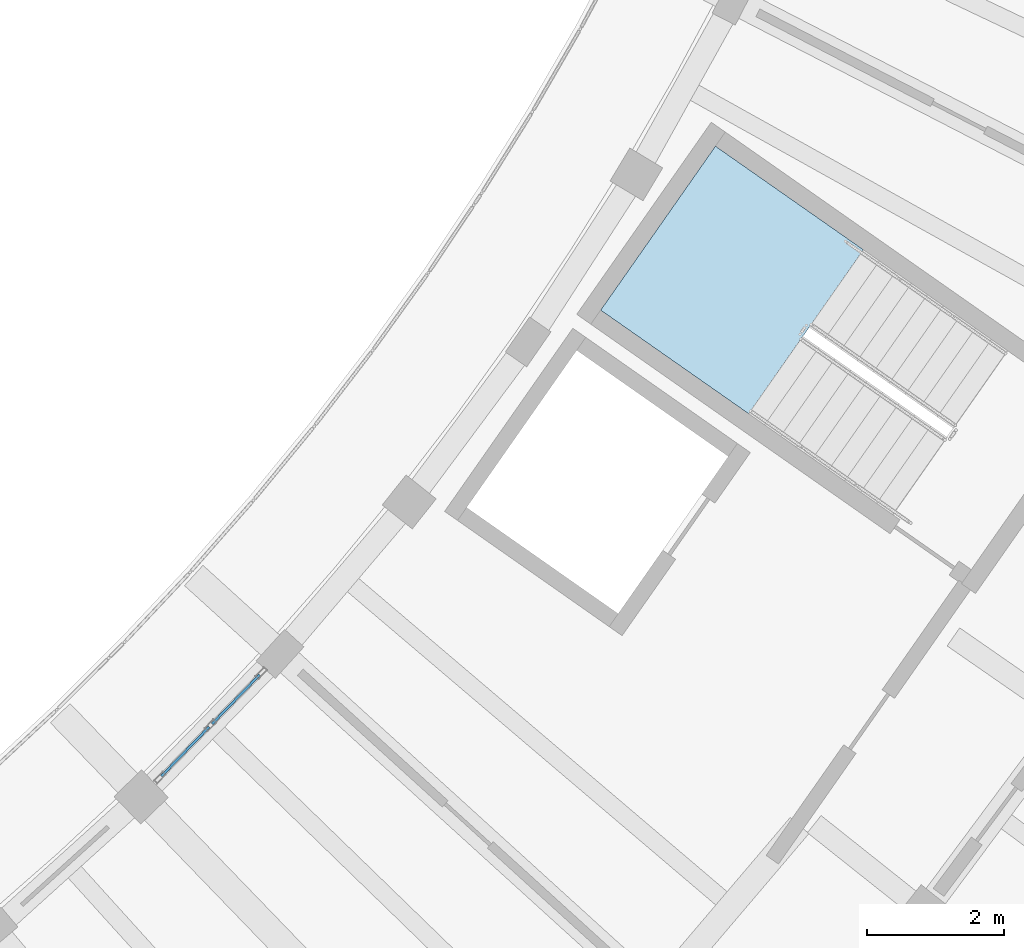
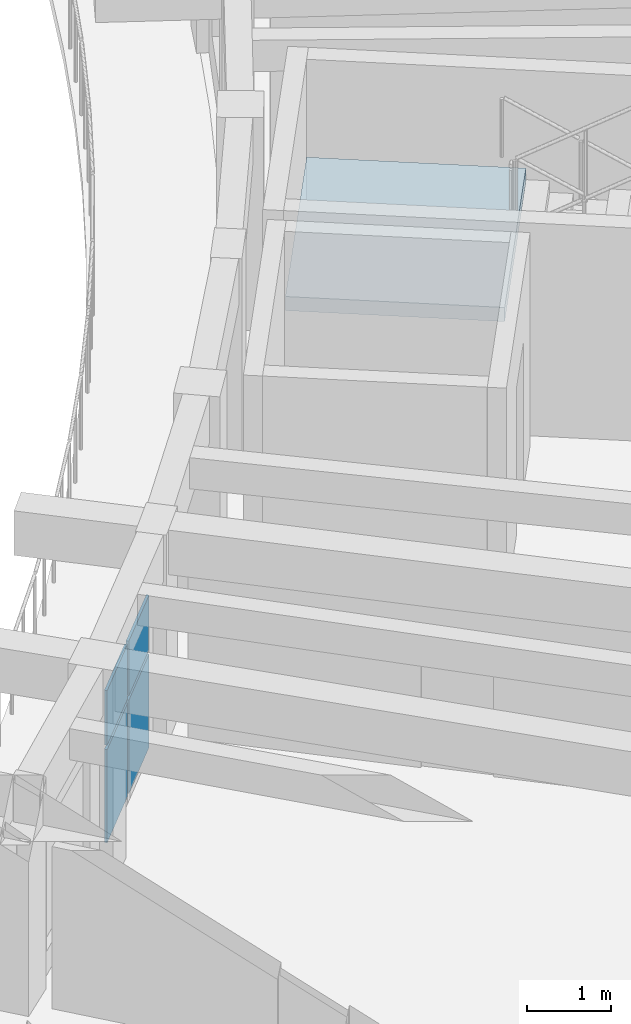
# One storey, part 24 of 69: 4 plates, 1 slab, 2 elements without a shape of their own.
"""IFC4 building model written with IfcOpenShell, lengths in metres."""

from ifc_helpers import new_model, si_unit, direction, frame, origin, origin_2d, place, context, subcontext, project, spatial, polyline, rectangle, outline, extrude, material, layer, layer_set, type_object, element, aggregate, save


model = new_model("IFC4")

# Units and contexts
model_context = context("Model", 3, precision=1e-05, world=origin(), true_north=direction((0.0, 1.0)))
body_context = subcontext(model_context, "Body", "Model", "MODEL_VIEW")
ifc_project = project(units=[si_unit("LENGTHUNIT", "METRE"), si_unit("AREAUNIT", "SQUARE_METRE"), si_unit("VOLUMEUNIT", "CUBIC_METRE"), si_unit("PLANEANGLEUNIT", "RADIAN"), si_unit("MASSUNIT", "GRAM", prefix="KILO")], contexts=[model_context])

# Site, building, storey
site_placement = place(None, origin())
site = spatial("IfcSite", under=ifc_project, at=site_placement, CompositionType="ELEMENT")
building_placement = place(site_placement, origin())
building = spatial("IfcBuilding", under=site, at=building_placement, Name="Tanwirah Colonnade Gardens", CompositionType="ELEMENT")
storey_placement = place(building_placement, frame((0.0, 0.0, 15.56005859375)))
storey = spatial("IfcBuildingStorey", under=building, at=storey_placement, Name="L04", CompositionType="ELEMENT", Elevation=15.56005859375)

# Curtain wall, plates
ifc_material_1 = material(Name="Bronze-anodised aluminium and solar-control low-E glass", Category="aluminium")
curtain_wall_type = type_object("IfcCurtainWallType", Name="CW-GDN", PredefinedType="NOTDEFINED", material=ifc_material_1)
curtain_wall_placement = place(storey_placement, origin())
curtain_wall = element("IfcCurtainWall", 1, at=curtain_wall_placement, inside=storey, type_object=curtain_wall_type, Name="Curtain Wall CW-D-L04-IN-08", PredefinedType="NOTDEFINED")
ifc_material_2 = material(Name="Insulated bronze aluminium spandrel panel", Category="aluminium")
ifc_layer_1 = layer(ifc_material_2, 0.035888671875)
ifc_layer_set_1 = layer_set([ifc_layer_1], Name="Insulated bronze aluminium spandrel panel")
plate_type = type_object("IfcPlateType", Name="CWP-SPN36", PredefinedType="CURTAIN_PANEL", material=ifc_layer_set_1)
plate_1_placement = place(storey_placement, frame((152.5205078125, 33.188232421875, 0.06494140625), z_axis=(0.0, 0.0, 1.0), x_axis=(0.696223466127, 0.717825107678, 0.0)))
plate_1 = element("IfcPlate", 2, at=plate_1_placement, type_object=plate_type, Name="CW-GDN panel 1.1", PredefinedType="CURTAIN_PANEL", context=body_context, shape_type="SweptSolid", body=[
    extrude(rectangle(XDim=0.996826171875, YDim=0.035888671875, at=origin_2d()), origin(), (0.0, 0.0, 1.0), 1.362548828125),
])
plate_2_placement = place(storey_placement, frame((152.5205078125, 33.188232421875, 1.49267578125), z_axis=(0.0, 0.0, 1.0), x_axis=(0.696223466127, 0.717825107678, 0.0)))
plate_2 = element("IfcPlate", 3, at=plate_2_placement, type_object=plate_type, Name="CW-GDN panel 1.2", PredefinedType="CURTAIN_PANEL", context=body_context, shape_type="SweptSolid", body=[
    extrude(rectangle(XDim=0.996826171875, YDim=0.035888671875, at=origin_2d()), origin(), (0.0, 0.0, 1.0), 0.79736328125),
])
plate_3_placement = place(storey_placement, frame((153.259765625, 33.950439453125, 0.06494140625), z_axis=(0.0, 0.0, 1.0), x_axis=(0.696223466127, 0.717825107678, 0.0)))
plate_3 = element("IfcPlate", 4, at=plate_3_placement, type_object=plate_type, Name="CW-GDN panel 2.1", PredefinedType="CURTAIN_PANEL", context=body_context, shape_type="SweptSolid", body=[
    extrude(rectangle(XDim=0.996826171875, YDim=0.035888671875, at=origin_2d()), origin(), (0.0, 0.0, 1.0), 1.362548828125),
])
plate_4_placement = place(storey_placement, frame((153.259765625, 33.950439453125, 1.49267578125), z_axis=(0.0, 0.0, 1.0), x_axis=(0.696223466127, 0.717825107678, 0.0)))
plate_4 = element("IfcPlate", 5, at=plate_4_placement, type_object=plate_type, Name="CW-GDN panel 2.2", PredefinedType="CURTAIN_PANEL", context=body_context, shape_type="SweptSolid", body=[
    extrude(rectangle(XDim=0.996826171875, YDim=0.035888671875, at=origin_2d()), origin(), (0.0, 0.0, 1.0), 0.79736328125),
])
aggregate(curtain_wall, [plate_1, plate_2, plate_3, plate_4])

# Stair, slab
ifc_material_3 = material(Name="Precast concrete C40/50", Category="concrete")
stair_type = type_object("IfcStairType", Name="ST-RES168", PredefinedType="HALF_TURN_STAIR", material=ifc_material_3)
stair_placement = place(storey_placement, origin())
stair = element("IfcStair", 6, at=stair_placement, inside=storey, type_object=stair_type, Name="L04 Block D Core 2 Exit Stair", PredefinedType="HALF_TURN_STAIR")
ifc_layer_2 = layer(ifc_material_3, 0.205078125)
ifc_layer_set_2 = layer_set([ifc_layer_2], Name="Precast concrete C40/50")
slab_type = type_object("IfcSlabType", Name="SL-LND-205", PredefinedType="LANDING", material=ifc_layer_set_2)
slab_placement = place(storey_placement, frame((0.0, 0.0, 1.474853515625)))
slab = element("IfcSlab", 7, at=slab_placement, type_object=slab_type, Name="ST-D2 landing 1", PredefinedType="LANDING", context=body_context, shape_type="SweptSolid", body=[
    extrude(outline(polyline([(162.412841796875, 40.507568359375), (160.25439453125, 42.018798828125), (158.57958984375, 39.626953125), (160.738037109375, 38.11572265625), (162.412841796875, 40.507568359375)])), origin(), (0.0, 0.0, 1.0), 0.205078125),
])
aggregate(stair, [slab])

save(model, "model.ifc")
